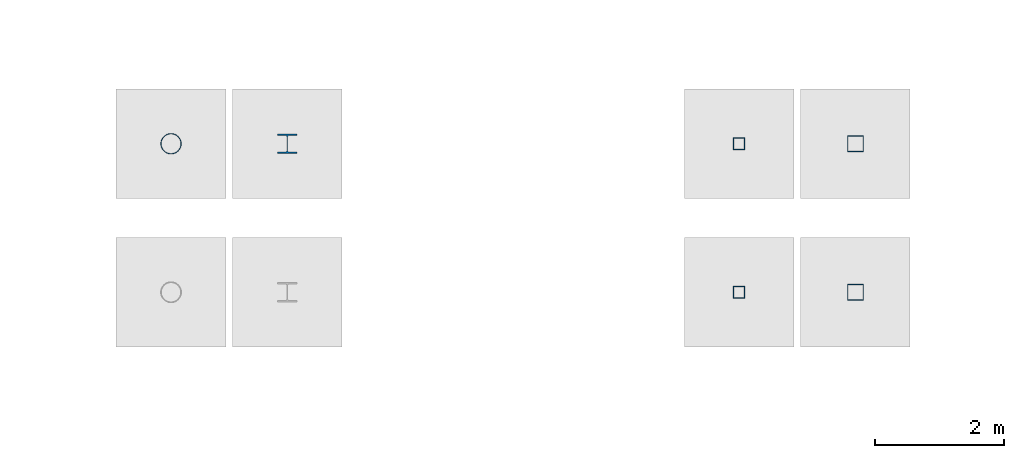
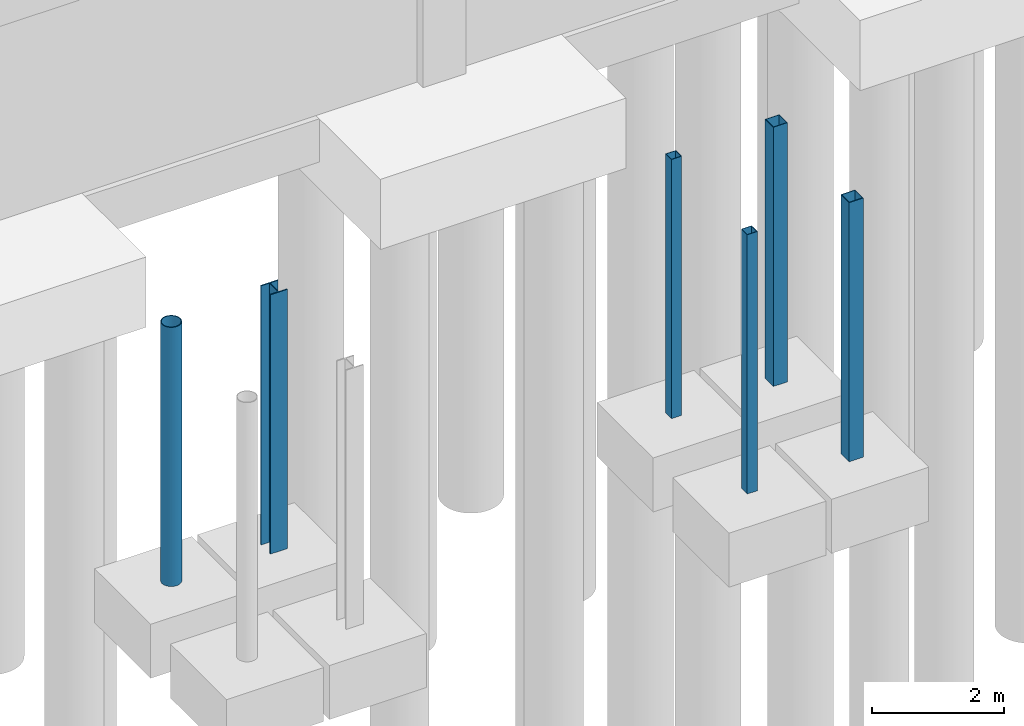
# One storey, part 32 of 80: 6 columns.
"""IFC4 building model written with IfcOpenShell, lengths in metres."""

from ifc_helpers import new_model, si_unit, direction, frame, origin, origin_2d, place, context, subcontext, project, spatial, hollow_rectangle, hollow_circle, i_section, extrude, material, material_profile, profile_set, type_object, element, save


model = new_model("IFC4")

# Units and contexts
model_context = context("Model", 3, precision=1e-05, world=origin(), true_north=direction((0.0, 1.0)))
body_context = subcontext(model_context, "Body", "Model", "MODEL_VIEW")
ifc_project = project(units=[si_unit("LENGTHUNIT", "METRE"), si_unit("AREAUNIT", "SQUARE_METRE"), si_unit("VOLUMEUNIT", "CUBIC_METRE"), si_unit("PLANEANGLEUNIT", "RADIAN"), si_unit("MASSUNIT", "GRAM", prefix="KILO")], contexts=[model_context])

# Site, building, storey
site_placement = place(None, origin())
site = spatial("IfcSite", under=ifc_project, at=site_placement, CompositionType="ELEMENT")
building_placement = place(site_placement, origin())
building = spatial("IfcBuilding", under=site, at=building_placement, Name="Malvenik Polytechnic", CompositionType="ELEMENT")
storey_placement = place(building_placement, frame((0.0, 0.0, -4.800048828125)))
storey = spatial("IfcBuildingStorey", under=building, at=storey_placement, Name="B1", CompositionType="ELEMENT", Elevation=-4.800048828125)

# Columns
ifc_material_1 = material(Name="Steel S355J2H", Category="steel")
ifc_material_profile_1 = material_profile(ifc_material_1, hollow_rectangle(XDim=0.25, YDim=0.25, WallThickness=0.010009765625, at=origin_2d()), Name="SHS 250x250x10.0")
ifc_profile_set_1 = profile_set([ifc_material_profile_1], Name="Steel S355J2H")
column_type_1 = type_object("IfcColumnType", Name="STR-SCOL-SC-01", PredefinedType="COLUMN", material=ifc_profile_set_1)
for number, where, z_axis, x_axis, name in (
    (1, (59.199951171875, 103.14990234375, 0.0), (0.0, 0.0, 1.0), (1.0, 0.0, 0.0), "Bridge-Ramp Support Column SC-01 B1"),
    (2, (59.199951171875, 105.449951171875, 0.0), (0.0, 0.0, 1.0), (1.0, 0.0, 0.0), "Bridge-Ramp Support Column SC-01 B1"),
):
    element("IfcColumn", number, at=place(storey_placement, frame(where, z_axis=z_axis, x_axis=x_axis)), inside=storey, type_object=column_type_1, Name=name, PredefinedType="COLUMN", context=body_context, shape_type="SweptSolid", body=[
        extrude(hollow_rectangle(XDim=0.25, YDim=0.25, WallThickness=0.010009765625, at=origin_2d()), origin(), (0.0, 0.0, 1.0), 4.800048828125),
    ])
ifc_material_profile_2 = material_profile(ifc_material_1, hollow_circle(Radius=0.161865234375, WallThickness=0.012451171875, at=origin_2d()), Name="CHS 323.9x12.5")
ifc_profile_set_2 = profile_set([ifc_material_profile_2], Name="Steel S355J2H")
column_type_2 = type_object("IfcColumnType", Name="STR-SCOL-SC-04", PredefinedType="COLUMN", material=ifc_profile_set_2)
column_1_placement = place(storey_placement, frame((48.60009765625, 105.449951171875, 0.0), z_axis=(0.0, 0.0, 1.0), x_axis=(1.0, 0.0, 0.0)))
element("IfcColumn", 3, at=column_1_placement, inside=storey, type_object=column_type_2, Name="Bridge-Ramp Support Column SC-04 B1", PredefinedType="COLUMN", context=body_context, shape_type="SweptSolid", body=[
    extrude(hollow_circle(Radius=0.161865234375, WallThickness=0.012451171875, at=origin_2d()), origin(), (0.0, 0.0, 1.0), 4.800048828125),
])
ifc_material_2 = material(Name="Steel S355", Category="steel")
ifc_material_profile_3 = material_profile(ifc_material_2, i_section(OverallWidth=0.300048828125, OverallDepth=0.300048828125, WebThickness=0.010986328125, FlangeThickness=0.01904296875, FilletRadius=0.027099609375, at=origin_2d()), Name="HEB 300")
ifc_profile_set_3 = profile_set([ifc_material_profile_3], Name="Steel S355")
column_type_3 = type_object("IfcColumnType", Name="STR-SCOL-SC-05", PredefinedType="COLUMN", material=ifc_profile_set_3)
column_2_placement = place(storey_placement, frame((50.39990234375, 105.449951171875, 0.0), z_axis=(0.0, 0.0, 1.0), x_axis=(1.0, 0.0, 0.0)))
element("IfcColumn", 4, at=column_2_placement, inside=storey, type_object=column_type_3, Name="Bridge-Ramp Support Column SC-05 B1", PredefinedType="COLUMN", context=body_context, shape_type="SweptSolid", body=[
    extrude(i_section(OverallWidth=0.300048828125, OverallDepth=0.300048828125, WebThickness=0.010986328125, FlangeThickness=0.01904296875, FilletRadius=0.027099609375, at=origin_2d()), origin(), (0.0, 0.0, 1.0), 4.800048828125),
])
ifc_material_profile_4 = material_profile(ifc_material_1, hollow_rectangle(XDim=0.179931640625, YDim=0.179931640625, WallThickness=0.008056640625, at=origin_2d()), Name="SHS 180x180x8.0")
ifc_profile_set_4 = profile_set([ifc_material_profile_4], Name="Steel S355J2H")
column_type_4 = type_object("IfcColumnType", Name="STR-SCOL-SC-06", PredefinedType="COLUMN", material=ifc_profile_set_4)
for number, where, z_axis, x_axis, name in (
    (5, (57.39990234375, 103.14990234375, 0.0), (0.0, 0.0, 1.0), (1.0, 0.0, 0.0), "Bridge-Ramp Support Column SC-06 B1"),
    (6, (57.39990234375, 105.449951171875, 0.0), (0.0, 0.0, 1.0), (1.0, 0.0, 0.0), "Bridge-Ramp Support Column SC-06 B1"),
):
    element("IfcColumn", number, at=place(storey_placement, frame(where, z_axis=z_axis, x_axis=x_axis)), inside=storey, type_object=column_type_4, Name=name, PredefinedType="COLUMN", context=body_context, shape_type="SweptSolid", body=[
        extrude(hollow_rectangle(XDim=0.179931640625, YDim=0.179931640625, WallThickness=0.008056640625, at=origin_2d()), origin(), (0.0, 0.0, 1.0), 4.800048828125),
    ])

save(model, "model.ifc")
